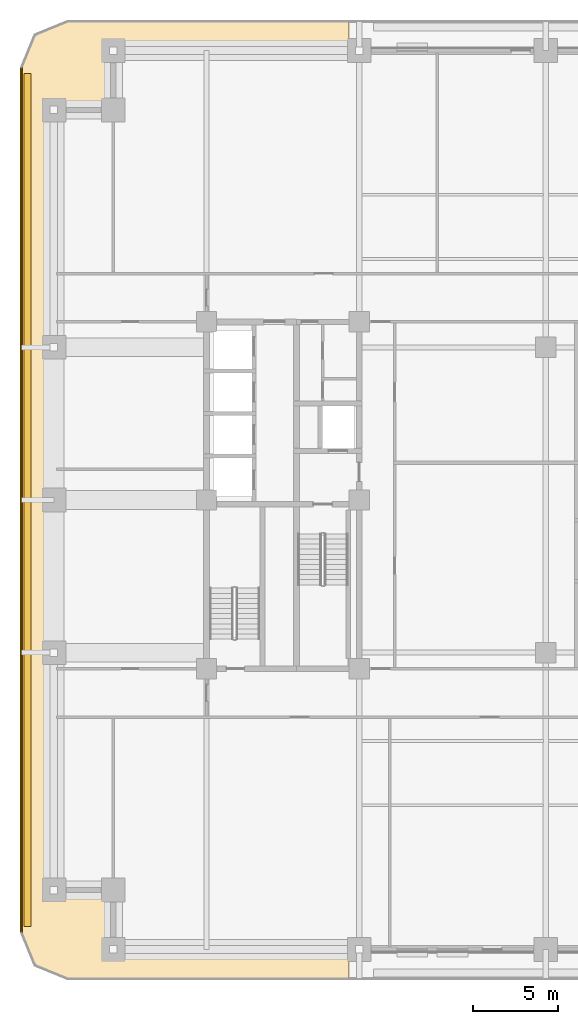
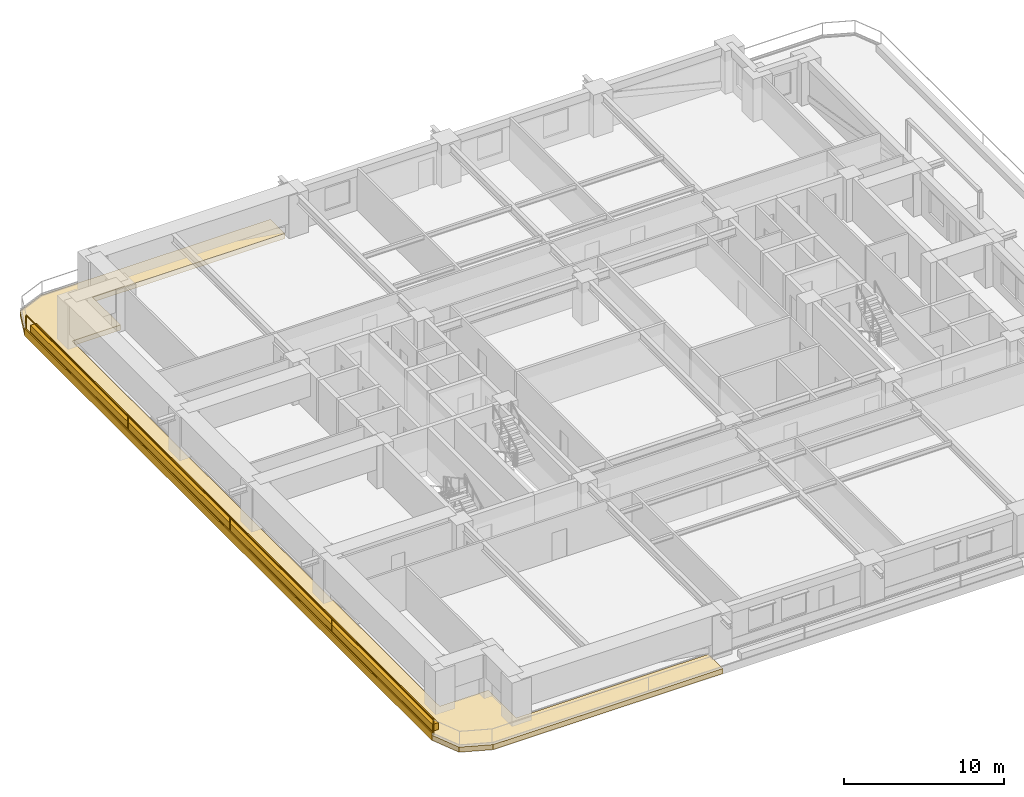
# One storey, part 12 of 18: 3 coverings, 1 railing.
"""IFC4 building model written with IfcOpenShell, lengths in metres."""

from ifc_helpers import new_model, si_unit, direction, frame, frame_2d, origin, origin_2d, place, context, subcontext, project, spatial, polyline, rectangle, outline, extrude, material, layer, layer_set, type_object, element, save


model = new_model("IFC4")

# Units and contexts
model_context = context("Model", 3, precision=1e-05, world=origin(), true_north=direction((0.0, 1.0)))
body_context = subcontext(model_context, "Body", "Model", "MODEL_VIEW")
ifc_project = project(units=[si_unit("LENGTHUNIT", "METRE"), si_unit("AREAUNIT", "SQUARE_METRE"), si_unit("VOLUMEUNIT", "CUBIC_METRE"), si_unit("PLANEANGLEUNIT", "RADIAN"), si_unit("MASSUNIT", "GRAM", prefix="KILO")], contexts=[model_context])

# Site, building, storey
site_placement = place(None, origin())
site = spatial("IfcSite", under=ifc_project, at=site_placement, CompositionType="ELEMENT")
building_placement = place(site_placement, origin())
building = spatial("IfcBuilding", under=site, at=building_placement, Name="Zulmaris Gate Convention Tower", CompositionType="ELEMENT")
storey_placement = place(building_placement, frame((0.0, 0.0, 57.18994140625)))
storey = spatial("IfcBuildingStorey", under=building, at=storey_placement, Name="L13", CompositionType="ELEMENT", Elevation=57.18994140625)

# Coverings
ifc_material_1 = material(Name="White Glazed Architectural Precast Concrete C40/50", Category="concrete")
ifc_layer_1 = layer(ifc_material_1, 0.239990234375, Name="White Glazed Architectural Precast Concrete C40/50")
ifc_layer_set_1 = layer_set([ifc_layer_1], Name="White Glazed Architectural Precast Concrete C40/50")
covering_type_1 = type_object("IfcCoveringType", Name="CLAD-TRAY-DECK", PredefinedType="CLADDING", material=ifc_layer_set_1)
covering_1_placement = place(storey_placement, frame((0.0, 0.0, -0.425048828125)))
element("IfcCovering", 1, at=covering_1_placement, inside=storey, type_object=covering_type_1, Name="L13 West Rounded-Fascia Planter Tray Deck", PredefinedType="CLADDING", context=body_context, shape_type="SweptSolid", body=[
    extrude(outline(polyline([(-31.0, 25.5), (-30.179931640625, 27.47998046875), (-28.199951171875, 28.300048828125), (-11.60205078125, 28.300048828125), (-11.60205078125, 26.5), (-25.5, 26.5), (-25.5, 23.0), (-29.0, 23.0), (-29.0, -23.0), (-25.5, -23.0), (-25.5, -26.5), (-11.60205078125, -26.5), (-11.60205078125, -28.300048828125), (-28.199951171875, -28.300048828125), (-30.179931640625, -27.47998046875), (-31.0, -25.5), (-31.0, 25.5)])), origin(), (0.0, 0.0, 1.0), 0.385009765625),
])
ifc_layer_2 = layer(ifc_material_1, 0.080078125, Name="White Glazed Architectural Precast Concrete C40/50")
ifc_layer_set_2 = layer_set([ifc_layer_2], Name="White Glazed Architectural Precast Concrete C40/50")
covering_type_2 = type_object("IfcCoveringType", Name="CLAD-TRAY-FASCIA", PredefinedType="CLADDING", material=ifc_layer_set_2)
covering_2_placement = place(storey_placement, frame((-30.9599609375, 25.5, -0.465087890625), z_axis=(0.0, 0.0, 1.0), x_axis=(0.0, -1.0, 0.0)))
element("IfcCovering", 2, at=covering_2_placement, inside=storey, type_object=covering_type_2, Name="FSC-L13-TR-11", PredefinedType="CLADDING", context=body_context, shape_type="SweptSolid", body=[
    extrude(rectangle(XDim=51.0, YDim=0.080078125, at=frame_2d((25.5, 0.0))), origin(), (0.0, 0.0, 1.0), 0.5849609375),
])
ifc_material_2 = material(Name="Botanical Green Glazed Precast Concrete C40/50", Category="concrete")
ifc_layer_3 = layer(ifc_material_2, 0.419921875, Name="Botanical Green Glazed Precast Concrete C40/50")
ifc_layer_set_3 = layer_set([ifc_layer_3], Name="Botanical Green Glazed Precast Concrete C40/50")
covering_type_3 = type_object("IfcCoveringType", Name="PLANTER-BOX-200", PredefinedType="CLADDING", material=ifc_layer_set_3)
covering_3_placement = place(storey_placement, frame((0.0, 0.0, -0.0400390625)))
element("IfcCovering", 3, at=covering_3_placement, inside=storey, type_object=covering_type_3, Name="L13 W Full-Length Balcony Tree Planter Trough", PredefinedType="CLADDING", context=body_context, shape_type="SweptSolid", body=[
    extrude(outline(polyline([(-30.760009765625, -25.14990234375), (-30.340087890625, -25.14990234375), (-30.340087890625, 25.14990234375), (-30.760009765625, 25.14990234375), (-30.760009765625, -25.14990234375)])), origin(), (0.0, 0.0, 1.0), 0.52001953125),
])

# Railing
ifc_material_3 = material(Name="Laminated Glass and Stainless Steel", Category="steel")
railing_type = type_object("IfcRailingType", Name="RL-BALC-1150", PredefinedType="BALUSTRADE", material=ifc_material_3)
railing_placement = place(storey_placement, frame((-30.8798828125, 25.5, -0.0400390625)))
element("IfcRailing", 4, at=railing_placement, inside=storey, type_object=railing_type, Name="RL-L13-BALC-W", PredefinedType="BALUSTRADE", context=body_context, shape_type="SweptSolid", body=[
    extrude(rectangle(XDim=0.048095703125, YDim=0.048095703125, at=origin_2d()), frame((0.0, 0.0, 1.1259765625), z_axis=(0.0, -1.0, 0.0), x_axis=(1.0, 0.0, 0.0)), (0.0, 0.0, 1.0), 51.0),
    extrude(rectangle(XDim=0.048095703125, YDim=0.048095703125, at=origin_2d()), frame((0.0, 0.0, 0.02392578125), z_axis=(0.0, -1.0, 0.0), x_axis=(1.0, 0.0, 0.0)), (0.0, 0.0, 1.0), 51.0),
    extrude(rectangle(XDim=0.0419921875, YDim=0.0419921875, at=origin_2d()), origin(), (0.0, 0.0, 1.0), 1.101806640625),
    extrude(rectangle(XDim=0.0419921875, YDim=0.0419921875, at=origin_2d()), frame((0.0, -12.75, 0.0)), (0.0, 0.0, 1.0), 1.101806640625),
    extrude(rectangle(XDim=0.0419921875, YDim=0.0419921875, at=origin_2d()), frame((0.0, -25.5, 0.0)), (0.0, 0.0, 1.0), 1.101806640625),
    extrude(rectangle(XDim=0.0419921875, YDim=0.0419921875, at=origin_2d()), frame((0.0, -38.25, 0.0)), (0.0, 0.0, 1.0), 1.101806640625),
    extrude(rectangle(XDim=0.0419921875, YDim=0.0419921875, at=origin_2d()), frame((0.0, -51.0, 0.0)), (0.0, 0.0, 1.0), 1.101806640625),
])

save(model, "model.ifc")
